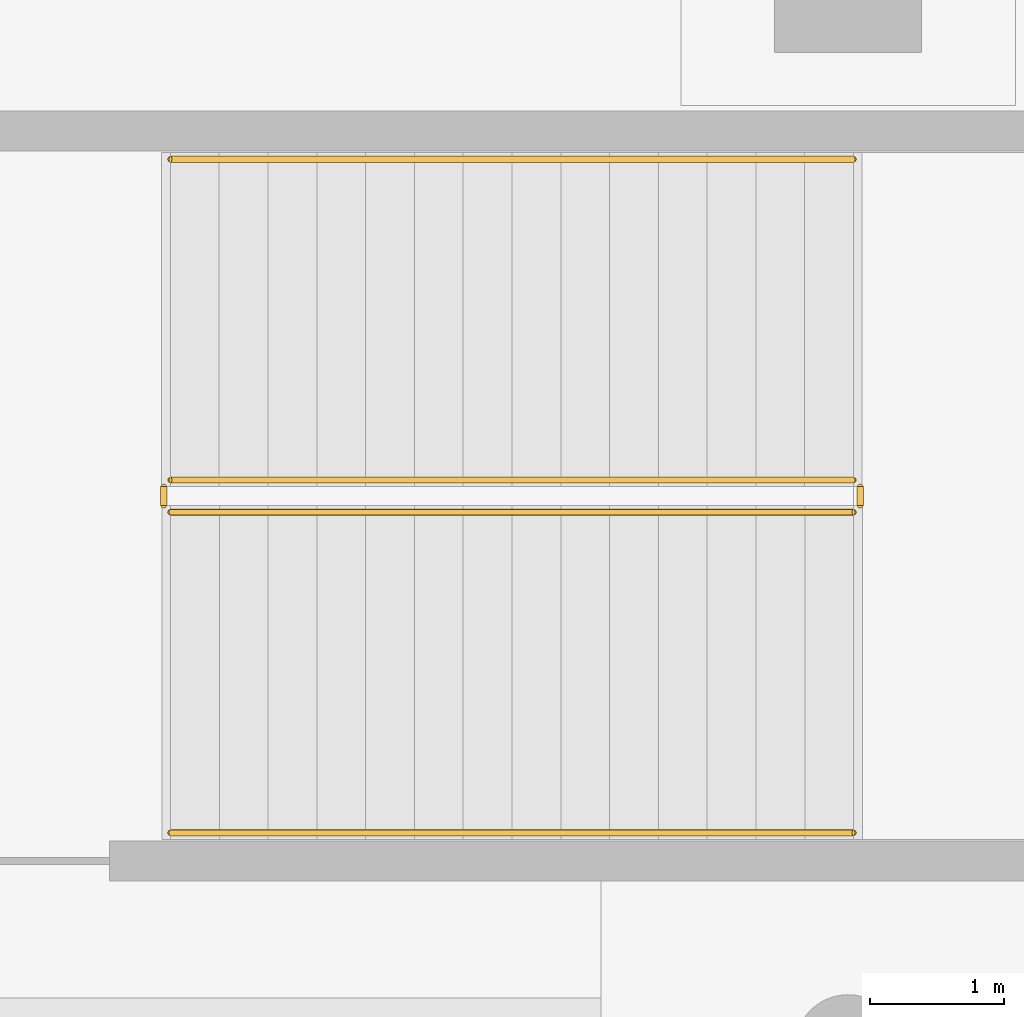
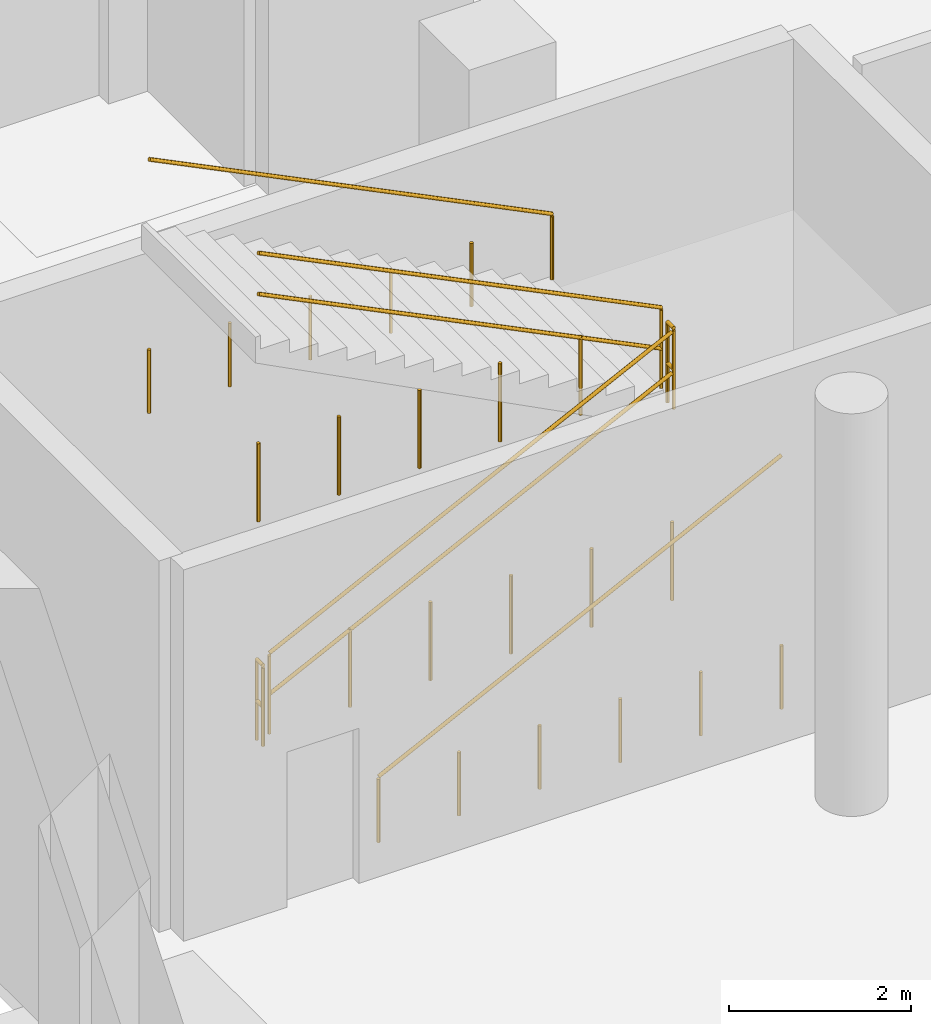
# One storey, part 38 of 44: 6 railings.
"""IFC4 building model written with IfcOpenShell, lengths in metres."""

from ifc_helpers import new_model, si_unit, direction, frame, origin, origin_2d, place, context, subcontext, project, spatial, circle, extrude, material, type_object, element, save


model = new_model("IFC4")

# Units and contexts
model_context = context("Model", 3, precision=1e-05, world=origin(), true_north=direction((0.0, 1.0)))
body_context = subcontext(model_context, "Body", "Model", "MODEL_VIEW")
ifc_project = project(units=[si_unit("LENGTHUNIT", "METRE"), si_unit("AREAUNIT", "SQUARE_METRE"), si_unit("VOLUMEUNIT", "CUBIC_METRE"), si_unit("PLANEANGLEUNIT", "RADIAN"), si_unit("MASSUNIT", "GRAM", prefix="KILO")], contexts=[model_context])

# Site, building, storey
site_placement = place(None, origin())
site = spatial("IfcSite", under=ifc_project, at=site_placement, CompositionType="ELEMENT")
building_placement = place(site_placement, origin())
building = spatial("IfcBuilding", under=site, at=building_placement, Name="Danafjord Basin Convention Centre", CompositionType="ELEMENT")
storey_placement = place(building_placement, frame((0.0, 0.0, -5.39990234375)))
storey = spatial("IfcBuildingStorey", under=building, at=storey_placement, Name="B1", CompositionType="ELEMENT", Elevation=-5.39990234375)

# Railings
ifc_material_1 = material(Name="Galvanised steel S355", Category="steel")
railing_type_1 = type_object("IfcRailingType", Name="RL-GD-WELL", PredefinedType="BALUSTRADE", material=ifc_material_1)
railing_1_placement = place(storey_placement, frame((100.530029296875, 124.010009765625, 0.179931640625)))
element("IfcRailing", 1, at=railing_1_placement, inside=storey, type_object=railing_type_1, Name="B1 ST-09 stair guard 1", PredefinedType="BALUSTRADE", context=body_context, shape_type="SweptSolid", body=[
    extrude(circle(Radius=0.02392578125, at=origin_2d()), frame((0.0, 0.0, 1.076171875), z_axis=(0.89686481642, 0.0, 0.442304760396), x_axis=(0.0, 1.0, 0.0)), (0.0, 0.0, 1.0), 5.697509765625),
    extrude(circle(Radius=0.02392578125, at=origin_2d()), frame((0.0, 0.0, 0.52587890625), z_axis=(0.89686481642, 0.0, 0.442304760396), x_axis=(0.0, 1.0, 0.0)), (0.0, 0.0, 1.0), 5.697509765625),
    extrude(circle(Radius=0.02099609375, at=origin_2d()), origin(), (0.0, 0.0, 1.0), 1.050048828125),
    extrude(circle(Radius=0.02099609375, at=origin_2d()), frame((1.02197265625, 0.0, 0.0)), (0.0, 0.0, 1.0), 1.050048828125),
    extrude(circle(Radius=0.02099609375, at=origin_2d()), frame((2.0439453125, 0.0, 0.0)), (0.0, 0.0, 1.0), 1.050048828125),
    extrude(circle(Radius=0.02099609375, at=origin_2d()), frame((3.06591796875, 0.0, 0.0)), (0.0, 0.0, 1.0), 1.050048828125),
    extrude(circle(Radius=0.02099609375, at=origin_2d()), frame((4.087890625, 0.0, 0.0)), (0.0, 0.0, 1.0), 1.050048828125),
    extrude(circle(Radius=0.02099609375, at=origin_2d()), frame((5.10986328125, 0.0, 0.0)), (0.0, 0.0, 1.0), 1.050048828125),
])
railing_2_placement = place(storey_placement, frame((105.68994140625, 124.06005859375, 2.699951171875)))
element("IfcRailing", 2, at=railing_2_placement, inside=storey, type_object=railing_type_1, Name="B1 ST-09 stair guard 2", PredefinedType="BALUSTRADE", context=body_context, shape_type="SweptSolid", body=[
    extrude(circle(Radius=0.02392578125, at=origin_2d()), frame((0.0, 0.0, 1.076171875), z_axis=(0.0, 1.0, 0.0), x_axis=(-1.0, 0.0, 0.0)), (0.0, 0.0, 1.0), 0.139892578125),
    extrude(circle(Radius=0.02392578125, at=origin_2d()), frame((0.0, 0.0, 0.52587890625), z_axis=(0.0, 1.0, 0.0), x_axis=(-1.0, 0.0, 0.0)), (0.0, 0.0, 1.0), 0.139892578125),
    extrude(circle(Radius=0.02099609375, at=origin_2d()), origin(), (0.0, 0.0, 1.0), 1.050048828125),
    extrude(circle(Radius=0.02099609375, at=origin_2d()), frame((0.0, 0.139892578125, 0.0)), (0.0, 0.0, 1.0), 1.050048828125),
])
railing_3_placement = place(storey_placement, frame((105.639892578125, 124.25, 2.8798828125)))
element("IfcRailing", 3, at=railing_3_placement, inside=storey, type_object=railing_type_1, Name="B1 ST-09 stair guard 3", PredefinedType="BALUSTRADE", context=body_context, shape_type="SweptSolid", body=[
    extrude(circle(Radius=0.02392578125, at=origin_2d()), frame((0.0, 0.0, 1.076171875), z_axis=(-0.89686481642, 0.0, 0.442304760396), x_axis=(0.0, -1.0, 0.0)), (0.0, 0.0, 1.0), 5.697509765625),
    extrude(circle(Radius=0.02392578125, at=origin_2d()), frame((0.0, 0.0, 0.52587890625), z_axis=(-0.89686481642, 0.0, 0.442304760396), x_axis=(0.0, -1.0, 0.0)), (0.0, 0.0, 1.0), 5.697509765625),
    extrude(circle(Radius=0.02099609375, at=origin_2d()), origin(), (0.0, 0.0, 1.0), 1.050048828125),
    extrude(circle(Radius=0.02099609375, at=origin_2d()), frame((-1.02197265625, 0.0, 0.0)), (0.0, 0.0, 1.0), 1.050048828125),
    extrude(circle(Radius=0.02099609375, at=origin_2d()), frame((-2.0439453125, 0.0, 0.0)), (0.0, 0.0, 1.0), 1.050048828125),
    extrude(circle(Radius=0.02099609375, at=origin_2d()), frame((-3.06591796875, 0.0, 0.0)), (0.0, 0.0, 1.0), 1.050048828125),
    extrude(circle(Radius=0.02099609375, at=origin_2d()), frame((-4.087890625, 0.0, 0.0)), (0.0, 0.0, 1.0), 1.050048828125),
    extrude(circle(Radius=0.02099609375, at=origin_2d()), frame((-5.10986328125, 0.0, 0.0)), (0.0, 0.0, 1.0), 1.050048828125),
])
railing_4_placement = place(storey_placement, frame((100.47998046875, 124.06005859375, 0.0)))
element("IfcRailing", 4, at=railing_4_placement, inside=storey, type_object=railing_type_1, Name="B1 ST-09 stair guard 4", PredefinedType="BALUSTRADE", context=body_context, shape_type="SweptSolid", body=[
    extrude(circle(Radius=0.02392578125, at=origin_2d()), frame((0.0, 0.0, 1.076171875), z_axis=(0.0, 1.0, 0.0), x_axis=(-1.0, 0.0, 0.0)), (0.0, 0.0, 1.0), 0.139892578125),
    extrude(circle(Radius=0.02392578125, at=origin_2d()), frame((0.0, 0.0, 0.52587890625), z_axis=(0.0, 1.0, 0.0), x_axis=(-1.0, 0.0, 0.0)), (0.0, 0.0, 1.0), 0.139892578125),
    extrude(circle(Radius=0.02099609375, at=origin_2d()), origin(), (0.0, 0.0, 1.0), 1.050048828125),
    extrude(circle(Radius=0.02099609375, at=origin_2d()), frame((0.0, 0.139892578125, 0.0)), (0.0, 0.0, 1.0), 1.050048828125),
])
ifc_material_2 = material(Name="Brushed stainless steel EN 1.4404", Category="steel")
railing_type_2 = type_object("IfcRailingType", Name="RL-HR-STAIR", PredefinedType="HANDRAIL", material=ifc_material_2)
railing_5_placement = place(storey_placement, frame((100.530029296875, 121.610107421875, 0.179931640625)))
element("IfcRailing", 5, at=railing_5_placement, inside=storey, type_object=railing_type_2, Name="B1 ST-09 stair handrail 1", PredefinedType="HANDRAIL", context=body_context, shape_type="SweptSolid", body=[
    extrude(circle(Radius=0.02392578125, at=origin_2d()), frame((0.0, 0.0, 0.8759765625), z_axis=(0.89686481642, 0.0, 0.442304760396), x_axis=(0.0, 1.0, 0.0)), (0.0, 0.0, 1.0), 5.697509765625),
    extrude(circle(Radius=0.02099609375, at=origin_2d()), origin(), (0.0, 0.0, 1.0), 0.849853515625),
    extrude(circle(Radius=0.02099609375, at=origin_2d()), frame((1.02197265625, 0.0, 0.0)), (0.0, 0.0, 1.0), 0.849853515625),
    extrude(circle(Radius=0.02099609375, at=origin_2d()), frame((2.0439453125, 0.0, 0.0)), (0.0, 0.0, 1.0), 0.849853515625),
    extrude(circle(Radius=0.02099609375, at=origin_2d()), frame((3.06591796875, 0.0, 0.0)), (0.0, 0.0, 1.0), 0.849853515625),
    extrude(circle(Radius=0.02099609375, at=origin_2d()), frame((4.087890625, 0.0, 0.0)), (0.0, 0.0, 1.0), 0.849853515625),
    extrude(circle(Radius=0.02099609375, at=origin_2d()), frame((5.10986328125, 0.0, 0.0)), (0.0, 0.0, 1.0), 0.849853515625),
])
railing_6_placement = place(storey_placement, frame((105.639892578125, 126.64990234375, 2.8798828125)))
element("IfcRailing", 6, at=railing_6_placement, inside=storey, type_object=railing_type_2, Name="B1 ST-09 stair handrail 2", PredefinedType="HANDRAIL", context=body_context, shape_type="SweptSolid", body=[
    extrude(circle(Radius=0.02392578125, at=origin_2d()), frame((0.0, 0.0, 0.8759765625), z_axis=(-0.89686481642, 0.0, 0.442304760396), x_axis=(0.0, -1.0, 0.0)), (0.0, 0.0, 1.0), 5.697509765625),
    extrude(circle(Radius=0.02099609375, at=origin_2d()), origin(), (0.0, 0.0, 1.0), 0.849853515625),
    extrude(circle(Radius=0.02099609375, at=origin_2d()), frame((-1.02197265625, 0.0, 0.0)), (0.0, 0.0, 1.0), 0.849853515625),
    extrude(circle(Radius=0.02099609375, at=origin_2d()), frame((-2.0439453125, 0.0, 0.0)), (0.0, 0.0, 1.0), 0.849853515625),
    extrude(circle(Radius=0.02099609375, at=origin_2d()), frame((-3.06591796875, 0.0, 0.0)), (0.0, 0.0, 1.0), 0.849853515625),
    extrude(circle(Radius=0.02099609375, at=origin_2d()), frame((-4.087890625, 0.0, 0.0)), (0.0, 0.0, 1.0), 0.849853515625),
    extrude(circle(Radius=0.02099609375, at=origin_2d()), frame((-5.10986328125, 0.0, 0.0)), (0.0, 0.0, 1.0), 0.849853515625),
])

save(model, "model.ifc")
